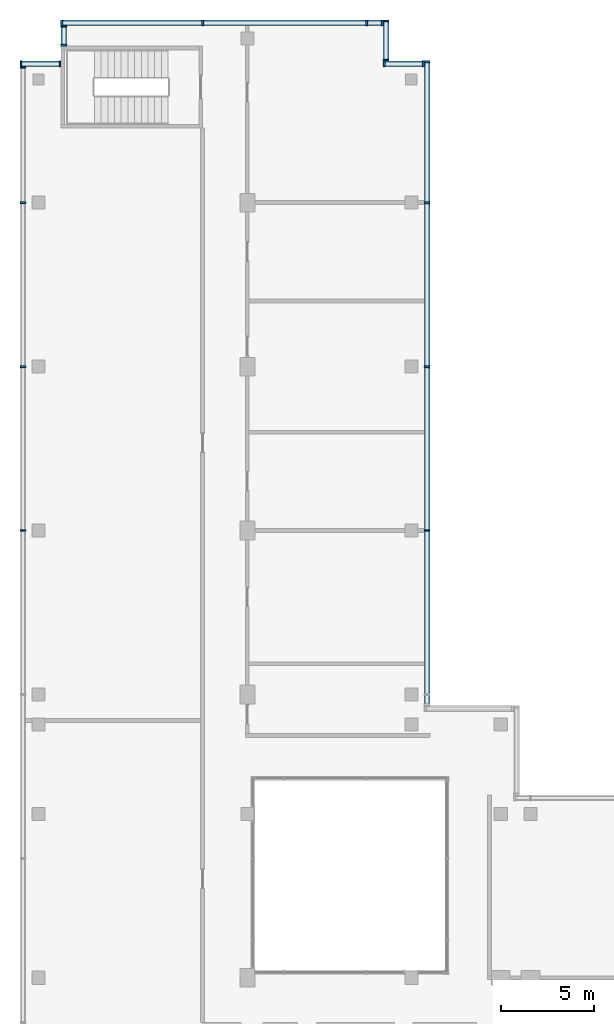
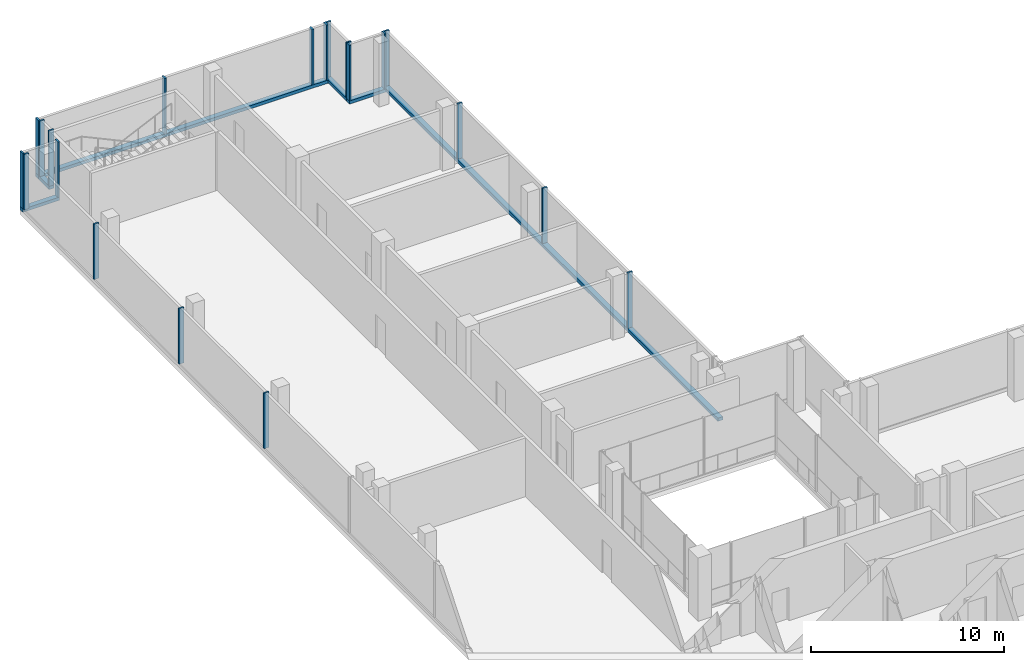
# One storey, part 6 of 10: 26 members, 7 elements without a shape of their own.
"""IFC4 building model written with IfcOpenShell, lengths in metres."""

from ifc_helpers import new_model, si_unit, direction, frame, origin, origin_2d, place, context, subcontext, project, spatial, rectangle, extrude, source, transform, mapped, material, material_profile, profile_set, type_object, element, aggregate, save


model = new_model("IFC4")

# Units and contexts
model_context = context("Model", 3, precision=1e-05, world=origin(), true_north=direction((0.0, 1.0)))
body_context = subcontext(model_context, "Body", "Model", "MODEL_VIEW")
ifc_project = project(units=[si_unit("LENGTHUNIT", "METRE"), si_unit("AREAUNIT", "SQUARE_METRE"), si_unit("VOLUMEUNIT", "CUBIC_METRE"), si_unit("PLANEANGLEUNIT", "RADIAN"), si_unit("MASSUNIT", "GRAM", prefix="KILO")], contexts=[model_context])

# Site, building, storey
site_placement = place(None, origin())
site = spatial("IfcSite", under=ifc_project, at=site_placement, CompositionType="ELEMENT")
building_placement = place(site_placement, origin())
building = spatial("IfcBuilding", under=site, at=building_placement, Name="Kemantara Hotel Tower", CompositionType="ELEMENT")
storey_placement = place(building_placement, frame((0.0, 0.0, 314.199951171875)))
storey = spatial("IfcBuildingStorey", under=building, at=storey_placement, Name="L79", CompositionType="ELEMENT", Elevation=314.199951171875)

# Curtain wall, member
ifc_material = material(Name="Aluminium 6063-T6 bronze anodised", Category="aluminium")
curtain_wall_type = type_object("IfcCurtainWallType", Name="CROWN LOUVRE SCREEN WALL", PredefinedType="USERDEFINED", material=ifc_material)
curtain_wall_1_placement = place(storey_placement, origin())
curtain_wall_1 = element("IfcCurtainWall", 1, at=curtain_wall_1_placement, inside=storey, type_object=curtain_wall_type, Name="CW7 L79 CRN-R02-1", ObjectType="CROWN LOUVRE SCREEN WALL", PredefinedType="USERDEFINED")
ifc_material_profile_1 = material_profile(ifc_material, rectangle(XDim=0.300048828125, YDim=0.199951171875, at=origin_2d()), Name="CROWN LOUVRE SCREEN WALL TRANSOM")
ifc_profile_set_1 = profile_set([ifc_material_profile_1], Name="Aluminium 6063-T6 bronze anodised")
member_type_1 = type_object("IfcMemberType", Name="CROWN LOUVRE SCREEN WALL TRANSOM", PredefinedType="USERDEFINED", material=ifc_profile_set_1)
member_1_placement = place(storey_placement, frame((19.5, 63.449951171875, 0.10009765625), z_axis=(-1.0, 0.0, 0.0), x_axis=(0.0, -1.0, 0.0)))
member_1 = element("IfcMember", 2, at=member_1_placement, type_object=member_type_1, Name="CW7 sill transom CRN-R02-1", ObjectType="TRANSOM", PredefinedType="USERDEFINED", context=body_context, shape_type="SweptSolid", body=[
    extrude(rectangle(XDim=0.300048828125, YDim=0.199951171875, at=origin_2d()), origin(), (0.0, 0.0, 1.0), 17.300048828125),
])

curtain_wall_2_placement = place(storey_placement, origin())
curtain_wall_2 = element("IfcCurtainWall", 3, at=curtain_wall_2_placement, inside=storey, type_object=curtain_wall_type, Name="CW7 L79 CRN-R15-1", ObjectType="CROWN LOUVRE SCREEN WALL", PredefinedType="USERDEFINED")
member_2_placement = place(storey_placement, frame((21.85009765625, 26.800048828125, 0.10009765625), z_axis=(0.0, 1.0, 0.0), x_axis=(-1.0, 0.0, 0.0)))
member_2 = element("IfcMember", 4, at=member_2_placement, type_object=member_type_1, Name="CW7 sill transom CRN-R15-1", ObjectType="TRANSOM", PredefinedType="USERDEFINED", context=body_context, shape_type="SweptSolid", body=[
    extrude(rectangle(XDim=0.300048828125, YDim=0.199951171875, at=origin_2d()), origin(), (0.0, 0.0, 1.0), 34.599853515625),
])

curtain_wall_3_placement = place(storey_placement, origin())
curtain_wall_3 = element("IfcCurtainWall", 5, at=curtain_wall_3_placement, inside=storey, type_object=curtain_wall_type, Name="CW7 L79 CRN-R00-1", ObjectType="CROWN LOUVRE SCREEN WALL", PredefinedType="USERDEFINED")
member_3_placement = place(storey_placement, frame((21.699951171875, 61.25, 0.10009765625), z_axis=(-1.0, 0.0, 0.0), x_axis=(0.0, -1.0, 0.0)))
member_3 = element("IfcMember", 6, at=member_3_placement, type_object=member_type_1, Name="CW7 sill transom CRN-R00-1", ObjectType="TRANSOM", PredefinedType="USERDEFINED", context=body_context, shape_type="SweptSolid", body=[
    extrude(rectangle(XDim=0.300048828125, YDim=0.199951171875, at=origin_2d()), origin(), (0.0, 0.0, 1.0), 2.199951171875),
])

curtain_wall_4_placement = place(storey_placement, origin())
curtain_wall_4 = element("IfcCurtainWall", 7, at=curtain_wall_4_placement, inside=storey, type_object=curtain_wall_type, Name="CW7 L79 CRN-R01-1", ObjectType="CROWN LOUVRE SCREEN WALL", PredefinedType="USERDEFINED")
member_4_placement = place(storey_placement, frame((19.64990234375, 61.39990234375, 0.10009765625), z_axis=(0.0, 1.0, 0.0), x_axis=(-1.0, 0.0, 0.0)))
member_4 = element("IfcMember", 8, at=member_4_placement, type_object=member_type_1, Name="CW7 sill transom CRN-R01-1", ObjectType="TRANSOM", PredefinedType="USERDEFINED", context=body_context, shape_type="SweptSolid", body=[
    extrude(rectangle(XDim=0.300048828125, YDim=0.199951171875, at=origin_2d()), origin(), (0.0, 0.0, 1.0), 2.2001953125),
])

curtain_wall_5_placement = place(storey_placement, origin())
curtain_wall_5 = element("IfcCurtainWall", 9, at=curtain_wall_5_placement, inside=storey, type_object=curtain_wall_type, Name="CW7 L79 CRN-R03-1", ObjectType="CROWN LOUVRE SCREEN WALL", PredefinedType="USERDEFINED")
member_5_placement = place(storey_placement, frame((2.35009765625, 63.300048828125, 0.10009765625), z_axis=(0.0, -1.0, 0.0), x_axis=(1.0, 0.0, 0.0)))
member_5 = element("IfcMember", 10, at=member_5_placement, type_object=member_type_1, Name="CW7 sill transom CRN-R03-1", ObjectType="TRANSOM", PredefinedType="USERDEFINED", context=body_context, shape_type="SweptSolid", body=[
    extrude(rectangle(XDim=0.300048828125, YDim=0.199951171875, at=origin_2d()), origin(), (0.0, 0.0, 1.0), 1.10009765625),
])

curtain_wall_6_placement = place(storey_placement, origin())
curtain_wall_6 = element("IfcCurtainWall", 11, at=curtain_wall_6_placement, inside=storey, type_object=curtain_wall_type, Name="CW7 L79 CRN-R04-1", ObjectType="CROWN LOUVRE SCREEN WALL", PredefinedType="USERDEFINED")
member_6_placement = place(storey_placement, frame((2.199951171875, 61.25, 0.10009765625), z_axis=(-1.0, 0.0, 0.0), x_axis=(0.0, -1.0, 0.0)))
member_6 = element("IfcMember", 12, at=member_6_placement, type_object=member_type_1, Name="CW7 sill transom CRN-R04-1", ObjectType="TRANSOM", PredefinedType="USERDEFINED", context=body_context, shape_type="SweptSolid", body=[
    extrude(rectangle(XDim=0.300048828125, YDim=0.199951171875, at=origin_2d()), origin(), (0.0, 0.0, 1.0), 2.199951171875),
])

# Member
ifc_material_profile_2 = material_profile(ifc_material, rectangle(XDim=0.300048828125, YDim=0.10009765625, at=origin_2d()), Name="CROWN LOUVRE SCREEN WALL MULLION")
ifc_profile_set_2 = profile_set([ifc_material_profile_2], Name="Aluminium 6063-T6 bronze anodised")
member_type_2 = type_object("IfcMemberType", Name="CROWN LOUVRE SCREEN WALL MULLION", PredefinedType="MULLION", material=ifc_profile_set_2)
shared_shape = source(origin(), body_context, "Body", "SweptSolid", [
    extrude(rectangle(XDim=0.300048828125, YDim=0.10009765625, at=origin_2d()), origin(), (0.0, 0.0, 1.0), 3.5),
])
member_7_placement = place(storey_placement, frame((19.449951171875, 63.449951171875, 0.199951171875), z_axis=(0.0, 0.0, 1.0), x_axis=(0.0, -1.0, 0.0)))
member_7 = element("IfcMember", 13, at=member_7_placement, type_object=member_type_2, Name="CW7 mullion CRN-R02-1.1", PredefinedType="MULLION", context=body_context, shape_type="MappedRepresentation", body=[
    mapped(shared_shape, transform((0.0, 0.0, 0.0))),
])

member_8_placement = place(storey_placement, frame((18.60009765625, 63.449951171875, 0.199951171875), z_axis=(0.0, 0.0, 1.0), x_axis=(0.0, -1.0, 0.0)))
member_8 = element("IfcMember", 14, at=member_8_placement, type_object=member_type_2, Name="CW7 mullion CRN-R02-1.2", PredefinedType="MULLION", context=body_context, shape_type="MappedRepresentation", body=[
    mapped(shared_shape, transform((0.0, 0.0, 0.0))),
])

member_9_placement = place(storey_placement, frame((9.800048828125, 63.449951171875, 0.199951171875), z_axis=(0.0, 0.0, 1.0), x_axis=(0.0, -1.0, 0.0)))
member_9 = element("IfcMember", 15, at=member_9_placement, type_object=member_type_2, Name="CW7 mullion CRN-R02-1.3", PredefinedType="MULLION", context=body_context, shape_type="MappedRepresentation", body=[
    mapped(shared_shape, transform((0.0, 0.0, 0.0))),
])

member_10_placement = place(storey_placement, frame((2.25, 63.449951171875, 0.199951171875), z_axis=(0.0, 0.0, 1.0), x_axis=(0.0, -1.0, 0.0)))
member_10 = element("IfcMember", 16, at=member_10_placement, type_object=member_type_2, Name="CW7 mullion CRN-R02-1.4", PredefinedType="MULLION", context=body_context, shape_type="MappedRepresentation", body=[
    mapped(shared_shape, transform((0.0, 0.0, 0.0))),
])

aggregate(curtain_wall_1, [member_1, member_7, member_8, member_9, member_10])

# Curtain wall, members
curtain_wall_7_placement = place(storey_placement, origin())
curtain_wall_7 = element("IfcCurtainWall", 17, at=curtain_wall_7_placement, inside=storey, type_object=curtain_wall_type, Name="CW7 L79 CRN-R05-1", ObjectType="CROWN LOUVRE SCREEN WALL", PredefinedType="USERDEFINED")
member_11_placement = place(storey_placement, frame((0.14990234375, 61.050048828125, 0.199951171875), z_axis=(0.0, 0.0, 1.0), x_axis=(1.0, 0.0, 0.0)))
member_11 = element("IfcMember", 18, at=member_11_placement, type_object=member_type_2, Name="CW7 mullion CRN-R05-1.1", PredefinedType="MULLION", context=body_context, shape_type="MappedRepresentation", body=[
    mapped(shared_shape, transform((0.0, 0.0, 0.0))),
])
member_12_placement = place(storey_placement, frame((0.14990234375, 53.800048828125, 0.199951171875), z_axis=(0.0, 0.0, 1.0), x_axis=(1.0, 0.0, 0.0)))
member_12 = element("IfcMember", 19, at=member_12_placement, type_object=member_type_2, Name="CW7 mullion CRN-R05-1.2", PredefinedType="MULLION", context=body_context, shape_type="MappedRepresentation", body=[
    mapped(shared_shape, transform((0.0, 0.0, 0.0))),
])
member_13_placement = place(storey_placement, frame((0.14990234375, 45.0, 0.199951171875), z_axis=(0.0, 0.0, 1.0), x_axis=(1.0, 0.0, 0.0)))
member_13 = element("IfcMember", 20, at=member_13_placement, type_object=member_type_2, Name="CW7 mullion CRN-R05-1.3", PredefinedType="MULLION", context=body_context, shape_type="MappedRepresentation", body=[
    mapped(shared_shape, transform((0.0, 0.0, 0.0))),
])
member_14_placement = place(storey_placement, frame((0.14990234375, 36.199951171875, 0.199951171875), z_axis=(0.0, 0.0, 1.0), x_axis=(1.0, 0.0, 0.0)))
member_14 = element("IfcMember", 21, at=member_14_placement, type_object=member_type_2, Name="CW7 mullion CRN-R05-1.4", PredefinedType="MULLION", context=body_context, shape_type="MappedRepresentation", body=[
    mapped(shared_shape, transform((0.0, 0.0, 0.0))),
])
aggregate(curtain_wall_7, [member_11, member_12, member_13, member_14])

# Member
member_15_placement = place(storey_placement, frame((21.85009765625, 36.199951171875, 0.199951171875), z_axis=(0.0, 0.0, 1.0), x_axis=(-1.0, 0.0, 0.0)))
member_15 = element("IfcMember", 22, at=member_15_placement, type_object=member_type_2, Name="CW7 mullion CRN-R15-1.3", PredefinedType="MULLION", context=body_context, shape_type="MappedRepresentation", body=[
    mapped(shared_shape, transform((0.0, 0.0, 0.0))),
])

member_16_placement = place(storey_placement, frame((21.85009765625, 45.0, 0.199951171875), z_axis=(0.0, 0.0, 1.0), x_axis=(-1.0, 0.0, 0.0)))
member_16 = element("IfcMember", 23, at=member_16_placement, type_object=member_type_2, Name="CW7 mullion CRN-R15-1.4", PredefinedType="MULLION", context=body_context, shape_type="MappedRepresentation", body=[
    mapped(shared_shape, transform((0.0, 0.0, 0.0))),
])

member_17_placement = place(storey_placement, frame((21.85009765625, 53.800048828125, 0.199951171875), z_axis=(0.0, 0.0, 1.0), x_axis=(-1.0, 0.0, 0.0)))
member_17 = element("IfcMember", 24, at=member_17_placement, type_object=member_type_2, Name="CW7 mullion CRN-R15-1.5", PredefinedType="MULLION", context=body_context, shape_type="MappedRepresentation", body=[
    mapped(shared_shape, transform((0.0, 0.0, 0.0))),
])

member_18_placement = place(storey_placement, frame((21.85009765625, 61.35009765625, 0.199951171875), z_axis=(0.0, 0.0, 1.0), x_axis=(-1.0, 0.0, 0.0)))
member_18 = element("IfcMember", 25, at=member_18_placement, type_object=member_type_2, Name="CW7 mullion CRN-R15-1.6", PredefinedType="MULLION", context=body_context, shape_type="MappedRepresentation", body=[
    mapped(shared_shape, transform((0.0, 0.0, 0.0))),
])

aggregate(curtain_wall_2, [member_2, member_15, member_16, member_17, member_18])

member_19_placement = place(storey_placement, frame((21.64990234375, 61.25, 0.199951171875), z_axis=(0.0, 0.0, 1.0), x_axis=(0.0, -1.0, 0.0)))
member_19 = element("IfcMember", 26, at=member_19_placement, type_object=member_type_2, Name="CW7 mullion CRN-R00-1.1", PredefinedType="MULLION", context=body_context, shape_type="MappedRepresentation", body=[
    mapped(shared_shape, transform((0.0, 0.0, 0.0))),
])

member_20_placement = place(storey_placement, frame((19.550048828125, 61.25, 0.199951171875), z_axis=(0.0, 0.0, 1.0), x_axis=(0.0, -1.0, 0.0)))
member_20 = element("IfcMember", 27, at=member_20_placement, type_object=member_type_2, Name="CW7 mullion CRN-R00-1.2", PredefinedType="MULLION", context=body_context, shape_type="MappedRepresentation", body=[
    mapped(shared_shape, transform((0.0, 0.0, 0.0))),
])

aggregate(curtain_wall_3, [member_3, member_19, member_20])

member_21_placement = place(storey_placement, frame((19.64990234375, 61.449951171875, 0.199951171875), z_axis=(0.0, 0.0, 1.0), x_axis=(-1.0, 0.0, 0.0)))
member_21 = element("IfcMember", 28, at=member_21_placement, type_object=member_type_2, Name="CW7 mullion CRN-R01-1.1", PredefinedType="MULLION", context=body_context, shape_type="MappedRepresentation", body=[
    mapped(shared_shape, transform((0.0, 0.0, 0.0))),
])

member_22_placement = place(storey_placement, frame((19.64990234375, 63.550048828125, 0.199951171875), z_axis=(0.0, 0.0, 1.0), x_axis=(-1.0, 0.0, 0.0)))
member_22 = element("IfcMember", 29, at=member_22_placement, type_object=member_type_2, Name="CW7 mullion CRN-R01-1.2", PredefinedType="MULLION", context=body_context, shape_type="MappedRepresentation", body=[
    mapped(shared_shape, transform((0.0, 0.0, 0.0))),
])

aggregate(curtain_wall_4, [member_4, member_21, member_22])

member_23_placement = place(storey_placement, frame((2.35009765625, 63.25, 0.199951171875), z_axis=(0.0, 0.0, 1.0), x_axis=(1.0, 0.0, 0.0)))
member_23 = element("IfcMember", 30, at=member_23_placement, type_object=member_type_2, Name="CW7 mullion CRN-R03-1.1", PredefinedType="MULLION", context=body_context, shape_type="MappedRepresentation", body=[
    mapped(shared_shape, transform((0.0, 0.0, 0.0))),
])

member_24_placement = place(storey_placement, frame((2.35009765625, 62.25, 0.199951171875), z_axis=(0.0, 0.0, 1.0), x_axis=(1.0, 0.0, 0.0)))
member_24 = element("IfcMember", 31, at=member_24_placement, type_object=member_type_2, Name="CW7 mullion CRN-R03-1.2", PredefinedType="MULLION", context=body_context, shape_type="MappedRepresentation", body=[
    mapped(shared_shape, transform((0.0, 0.0, 0.0))),
])

aggregate(curtain_wall_5, [member_5, member_23, member_24])

member_25_placement = place(storey_placement, frame((2.14990234375, 61.25, 0.199951171875), z_axis=(0.0, 0.0, 1.0), x_axis=(0.0, -1.0, 0.0)))
member_25 = element("IfcMember", 32, at=member_25_placement, type_object=member_type_2, Name="CW7 mullion CRN-R04-1.1", PredefinedType="MULLION", context=body_context, shape_type="MappedRepresentation", body=[
    mapped(shared_shape, transform((0.0, 0.0, 0.0))),
])

member_26_placement = place(storey_placement, frame((0.050048828125, 61.25, 0.199951171875), z_axis=(0.0, 0.0, 1.0), x_axis=(0.0, -1.0, 0.0)))
member_26 = element("IfcMember", 33, at=member_26_placement, type_object=member_type_2, Name="CW7 mullion CRN-R04-1.2", PredefinedType="MULLION", context=body_context, shape_type="MappedRepresentation", body=[
    mapped(shared_shape, transform((0.0, 0.0, 0.0))),
])

aggregate(curtain_wall_6, [member_6, member_25, member_26])

save(model, "model.ifc")
